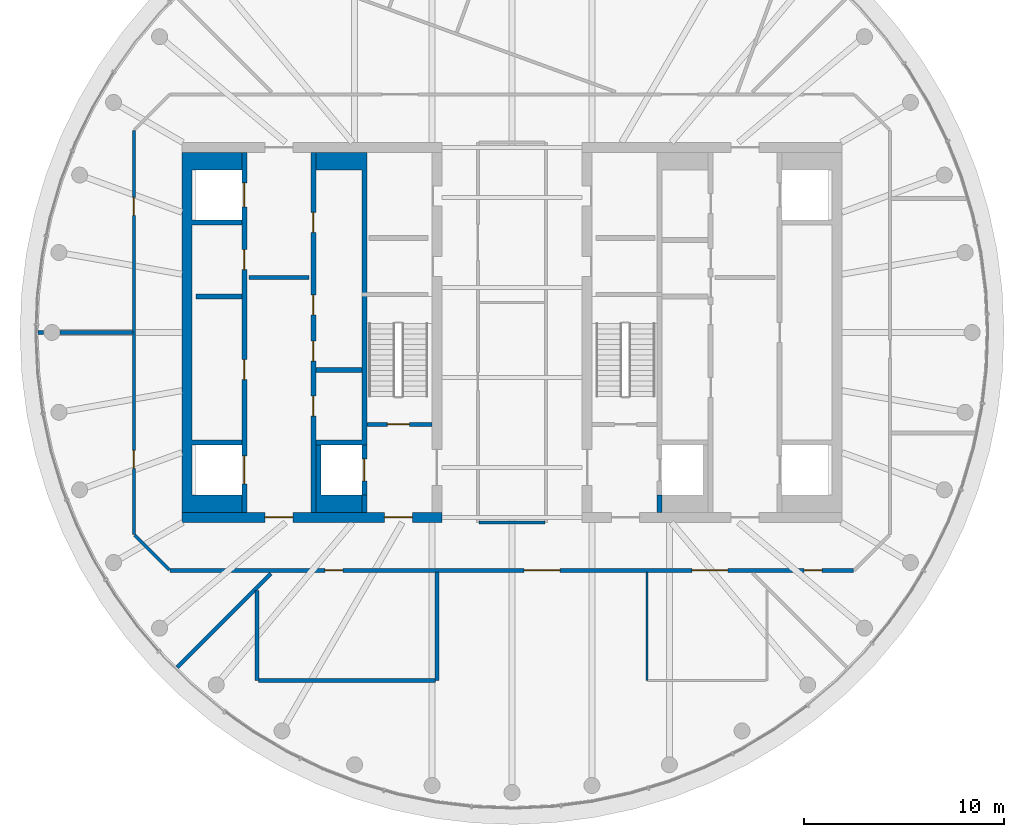
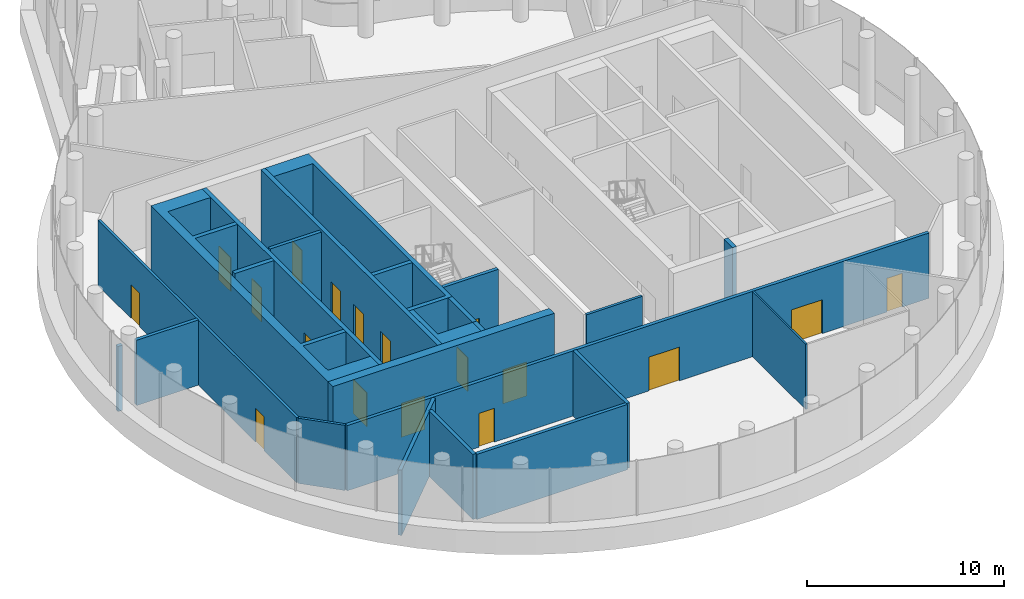
# One storey, part 8 of 12: 24 walls, 18 doors, 18 openings.
"""IFC4 building model written with IfcOpenShell, lengths in metres."""

from ifc_helpers import new_model, si_unit, direction, frame, frame_2d, origin, place, context, subcontext, project, spatial, polyline, rectangle, outline, extrude, material, layer, layer_set, type_object, element, fill, save


model = new_model("IFC4")

# Units and contexts
model_context = context("Model", 3, precision=1e-05, world=origin(), true_north=direction((0.0, 1.0)))
body_context = subcontext(model_context, "Body", "Model", "MODEL_VIEW")
ifc_project = project(units=[si_unit("LENGTHUNIT", "METRE"), si_unit("AREAUNIT", "SQUARE_METRE"), si_unit("VOLUMEUNIT", "CUBIC_METRE"), si_unit("PLANEANGLEUNIT", "RADIAN"), si_unit("MASSUNIT", "GRAM", prefix="KILO")], contexts=[model_context])

# Site, building, storey
site_placement = place(None, origin())
site = spatial("IfcSite", under=ifc_project, at=site_placement, CompositionType="ELEMENT")
building_placement = place(site_placement, origin())
building = spatial("IfcBuilding", under=site, at=building_placement, Name="Tamarind Cross Interchange Tower", CompositionType="ELEMENT")
storey_placement = place(building_placement, frame((0.0, 0.0, 294.39990234375)))
storey = spatial("IfcBuildingStorey", under=building, at=storey_placement, Name="L73", CompositionType="ELEMENT", Elevation=294.39990234375)

# Wall, openings, doors
ifc_material_1 = material(Name="Concrete C50", Category="concrete")
ifc_layer_1 = layer(ifc_material_1, 0.5)
ifc_layer_set_1 = layer_set([ifc_layer_1], Name="Concrete C50")
wall_type_1 = type_object("IfcWallType", Name="Core wall 500 mm Concrete C50", PredefinedType="SHEAR", material=ifc_layer_set_1)
wall_1_placement = place(storey_placement, frame((-16.5, -9.25, 0.0), z_axis=(0.0, 0.0, 1.0), x_axis=(1.0, 0.0, 0.0)))
wall_1 = element("IfcWall", 1, at=wall_1_placement, inside=storey, type_object=wall_type_1, Name="Core wall CWL-L73-W-S", PredefinedType="SHEAR", context=body_context, shape_type="SweptSolid", body=[
    extrude(rectangle(XDim=13.0, YDim=0.5, at=frame_2d((6.5, 0.0))), origin(), (0.0, 0.0, 1.0), 4.75),
])
opening_1_placement = place(wall_1_placement, frame((4.14990234375, 0.0, 0.0)))
opening_1 = element("IfcOpeningElement", 2, at=opening_1_placement, cuts=wall_1, Name="Opening DCW1", PredefinedType="OPENING", context=body_context, shape_type="SweptSolid", body=[
    extrude(rectangle(XDim=1.39990234375, YDim=2.10009765625, at=frame_2d((0.699951171875, 1.050048828125))), frame((0.0, 0.260009765625, 0.0), z_axis=(0.0, -1.0, 0.0), x_axis=(1.0, 0.0, 0.0)), (0.0, 0.0, 1.0), 0.52001953125),
])
opening_2_placement = place(wall_1_placement, frame((10.125, 0.0, 0.0)))
opening_2 = element("IfcOpeningElement", 3, at=opening_2_placement, cuts=wall_1, Name="Opening DCWF", PredefinedType="OPENING", context=body_context, shape_type="SweptSolid", body=[
    extrude(rectangle(XDim=1.39990234375, YDim=2.10009765625, at=frame_2d((0.699951171875, 1.050048828125))), frame((0.0, 0.260009765625, 0.0), z_axis=(0.0, -1.0, 0.0), x_axis=(1.0, 0.0, 0.0)), (0.0, 0.0, 1.0), 0.52001953125),
])
ifc_material_2 = material(Name="Steel, fire-resisting", Category="steel")
door_type_1 = type_object("IfcDoorType", Name="Core fire door 1400 x 2100 FD90", OperationType="SINGLE_SWING_LEFT", PredefinedType="DOOR", material=ifc_material_2)
door_1_placement = place(opening_1_placement, origin())
door_1 = element("IfcDoor", 4, at=door_1_placement, inside=storey, type_object=door_type_1, Name="L73 lift lobby door", OperationType="SINGLE_SWING_LEFT", OverallHeight=2.10009765625, OverallWidth=1.39990234375, PredefinedType="DOOR", context=body_context, shape_type="SweptSolid", body=[
    extrude(rectangle(XDim=1.39990234375, YDim=2.10009765625, at=frame_2d((0.699951171875, 1.050048828125))), frame((0.0, 0.02490234375, 0.0), z_axis=(0.0, -1.0, 0.0), x_axis=(1.0, 0.0, 0.0)), (0.0, 0.0, 1.0), 0.050048828125),
])
fill(opening_1, door_1)
door_2_placement = place(opening_2_placement, origin())
door_2 = element("IfcDoor", 5, at=door_2_placement, inside=storey, type_object=door_type_1, Name="L73 firefighting lobby end door", OperationType="SINGLE_SWING_LEFT", OverallHeight=2.10009765625, OverallWidth=1.39990234375, PredefinedType="DOOR", context=body_context, shape_type="SweptSolid", body=[
    extrude(rectangle(XDim=1.39990234375, YDim=2.10009765625, at=frame_2d((0.699951171875, 1.050048828125))), frame((0.0, 0.02490234375, 0.0), z_axis=(0.0, -1.0, 0.0), x_axis=(1.0, 0.0, 0.0)), (0.0, 0.0, 1.0), 0.050048828125),
])
fill(opening_2, door_2)

# Walls
wall_2_placement = place(storey_placement, origin())
element("IfcWall", 6, at=wall_2_placement, inside=storey, type_object=wall_type_1, Name="Core wall CWL-L73-W-A", PredefinedType="SHEAR", context=body_context, shape_type="SweptSolid", body=[
    extrude(outline(polyline([(-13.5, -8.125), (-16.0, -8.125), (-16.0, -5.625), (-13.5, -5.625), (-13.5, -5.375), (-16.0, -5.375), (-16.0, 5.375), (-13.5, 5.375), (-13.5, 5.625), (-16.0, 5.625), (-16.0, 8.125), (-13.5, 8.125), (-13.5, 9.0), (-16.0, 9.0), (-16.5, 9.0), (-16.5, -9.0), (-16.0, -9.0), (-13.5, -9.0), (-13.5, -8.125)])), origin(), (0.0, 0.0, 1.0), 4.75),
])
ifc_layer_2 = layer(ifc_material_1, 0.25)
ifc_layer_set_2 = layer_set([ifc_layer_2], Name="Concrete C50")
wall_type_2 = type_object("IfcWallType", Name="Core web wall 250 mm Concrete C50", PredefinedType="SHEAR", material=ifc_layer_set_2)
wall_3_placement = place(storey_placement, origin())
element("IfcWall", 7, at=wall_3_placement, inside=storey, type_object=wall_type_2, Name="Core wall CWL-L73-W-BN", PredefinedType="SHEAR", context=body_context, shape_type="SweptSolid", body=[
    extrude(outline(polyline([(-9.800048828125, -5.625), (-7.5, -5.625), (-7.25, -5.625), (-7.25, 9.0), (-7.5, 9.0), (-9.800048828125, 9.0), (-9.800048828125, 8.125), (-7.5, 8.125), (-7.5, -5.375), (-9.800048828125, -5.375), (-9.800048828125, -5.625)])), origin(), (0.0, 0.0, 1.0), 4.75),
])
wall_4_placement = place(storey_placement, origin())
element("IfcWall", 8, at=wall_4_placement, inside=storey, type_object=wall_type_2, Name="Core wall CWL-L73-W-BS", PredefinedType="SHEAR", context=body_context, shape_type="SweptSolid", body=[
    extrude(outline(polyline([(-7.5, -8.125), (-9.550048828125, -8.125), (-9.550048828125, -5.625), (-9.800048828125, -5.625), (-9.800048828125, -8.125), (-9.800048828125, -9.0), (-7.5, -9.0), (-7.5, -8.125)])), origin(), (0.0, 0.0, 1.0), 4.75),
])
wall_5_placement = place(storey_placement, frame((-7.375, -9.0, 0.0), z_axis=(0.0, 0.0, 1.0), x_axis=(0.0, 1.0, 0.0)))
element("IfcWall", 9, at=wall_5_placement, inside=storey, type_object=wall_type_2, Name="Core wall CWL-L73-W-BW", PredefinedType="SHEAR", context=body_context, shape_type="SweptSolid", body=[
    extrude(rectangle(XDim=0.875, YDim=0.25, at=frame_2d((0.4375, 0.0))), origin(), (0.0, 0.0, 1.0), 4.75),
])

# Wall, openings, doors
wall_6_placement = place(storey_placement, frame((-13.375, -9.0, 0.0), z_axis=(0.0, 0.0, 1.0), x_axis=(0.0, 1.0, 0.0)))
wall_6 = element("IfcWall", 10, at=wall_6_placement, inside=storey, type_object=wall_type_2, Name="Core wall CWL-L73-W-LA", PredefinedType="SHEAR", context=body_context, shape_type="SweptSolid", body=[
    extrude(rectangle(XDim=18.0, YDim=0.25, at=frame_2d((9.0, 0.0))), origin(), (0.0, 0.0, 1.0), 4.75),
])
opening_3_placement = place(wall_6_placement, frame((1.425048828125, 0.0, 0.0)))
opening_3 = element("IfcOpeningElement", 11, at=opening_3_placement, cuts=wall_6, Name="Opening LD1L73", PredefinedType="OPENING", context=body_context, shape_type="SweptSolid", body=[
    extrude(rectangle(XDim=1.39990234375, YDim=2.10009765625, at=frame_2d((0.699951171875, 1.050048828125))), frame((0.0, 0.135009765625, 0.0), z_axis=(0.0, -1.0, 0.0), x_axis=(1.0, 0.0, 0.0)), (0.0, 0.0, 1.0), 0.27001953125),
])
opening_4_placement = place(wall_6_placement, frame((15.27490234375, 0.0, 0.0)))
opening_4 = element("IfcOpeningElement", 12, at=opening_4_placement, cuts=wall_6, Name="Opening LD6L73", PredefinedType="OPENING", context=body_context, shape_type="SweptSolid", body=[
    extrude(rectangle(XDim=1.199951171875, YDim=2.10009765625, at=frame_2d((0.60009765625, 1.050048828125))), frame((0.0, 0.135009765625, 0.0), z_axis=(0.0, -1.0, 0.0), x_axis=(1.0, 0.0, 0.0)), (0.0, 0.0, 1.0), 0.27001953125),
])
opening_5_placement = place(wall_6_placement, frame((6.64599609375, 0.0, 0.0)))
opening_5 = element("IfcOpeningElement", 13, at=opening_5_placement, cuts=wall_6, Name="Opening DCW9", PredefinedType="OPENING", context=body_context, shape_type="SweptSolid", body=[
    extrude(rectangle(XDim=1.0, YDim=2.10009765625, at=frame_2d((0.5, 1.050048828125))), frame((0.0, 0.135009765625, 0.0), z_axis=(0.0, -1.0, 0.0), x_axis=(1.0, 0.0, 0.0)), (0.0, 0.0, 1.0), 0.27001953125),
])
opening_6_placement = place(wall_6_placement, frame((12.14599609375, 0.0, 0.0)))
opening_6 = element("IfcOpeningElement", 14, at=opening_6_placement, cuts=wall_6, Name="Opening DCW10", PredefinedType="OPENING", context=body_context, shape_type="SweptSolid", body=[
    extrude(rectangle(XDim=1.0, YDim=2.10009765625, at=frame_2d((0.5, 1.050048828125))), frame((0.0, 0.135009765625, 0.0), z_axis=(0.0, -1.0, 0.0), x_axis=(1.0, 0.0, 0.0)), (0.0, 0.0, 1.0), 0.27001953125),
])
door_type_2 = type_object("IfcDoorType", Name="Core fire door 1000 x 2100 FD90", OperationType="SINGLE_SWING_LEFT", PredefinedType="DOOR", material=ifc_material_2)
door_3_placement = place(opening_5_placement, origin())
door_3 = element("IfcDoor", 15, at=door_3_placement, inside=storey, type_object=door_type_2, Name="L73 Cleaner's store door", OperationType="SINGLE_SWING_LEFT", OverallHeight=2.10009765625, OverallWidth=1.0, PredefinedType="DOOR", context=body_context, shape_type="SweptSolid", body=[
    extrude(rectangle(XDim=1.0, YDim=2.10009765625, at=frame_2d((0.5, 1.050048828125))), frame((0.0, 0.02490234375, 0.0), z_axis=(0.0, -1.0, 0.0), x_axis=(1.0, 0.0, 0.0)), (0.0, 0.0, 1.0), 0.050048828125),
])
fill(opening_5, door_3)
door_4_placement = place(opening_6_placement, origin())
door_4 = element("IfcDoor", 16, at=door_4_placement, inside=storey, type_object=door_type_2, Name="L73 Guide's room door", OperationType="SINGLE_SWING_LEFT", OverallHeight=2.10009765625, OverallWidth=1.0, PredefinedType="DOOR", context=body_context, shape_type="SweptSolid", body=[
    extrude(rectangle(XDim=1.0, YDim=2.10009765625, at=frame_2d((0.5, 1.050048828125))), frame((0.0, 0.02490234375, 0.0), z_axis=(0.0, -1.0, 0.0), x_axis=(1.0, 0.0, 0.0)), (0.0, 0.0, 1.0), 0.050048828125),
])
fill(opening_6, door_4)
ifc_material_3 = material(Name="Stainless steel panel", Category="steel")
door_type_3 = type_object("IfcDoorType", Name="Lift landing door 1200 x 2100 E 120", OperationType="SLIDING_TO_LEFT", PredefinedType="DOOR", material=ifc_material_3)
door_5_placement = place(opening_4_placement, origin())
door_5 = element("IfcDoor", 17, at=door_5_placement, inside=storey, type_object=door_type_3, Name="L73 landing door LF6", OperationType="SLIDING_TO_LEFT", OverallHeight=2.10009765625, OverallWidth=1.199951171875, PredefinedType="DOOR", context=body_context, shape_type="SweptSolid", body=[
    extrude(rectangle(XDim=1.199951171875, YDim=2.10009765625, at=frame_2d((0.60009765625, 1.050048828125))), frame((0.0, 0.02490234375, 0.0), z_axis=(0.0, -1.0, 0.0), x_axis=(1.0, 0.0, 0.0)), (0.0, 0.0, 1.0), 0.050048828125),
])
fill(opening_4, door_5)
door_type_4 = type_object("IfcDoorType", Name="Lift landing door 1400 x 2100 E 120", OperationType="SLIDING_TO_LEFT", PredefinedType="DOOR", material=ifc_material_3)
door_6_placement = place(opening_3_placement, origin())
door_6 = element("IfcDoor", 18, at=door_6_placement, inside=storey, type_object=door_type_4, Name="L73 landing door LF1", OperationType="SLIDING_TO_LEFT", OverallHeight=2.10009765625, OverallWidth=1.39990234375, PredefinedType="DOOR", context=body_context, shape_type="SweptSolid", body=[
    extrude(rectangle(XDim=1.39990234375, YDim=2.10009765625, at=frame_2d((0.699951171875, 1.050048828125))), frame((0.0, 0.02490234375, 0.0), z_axis=(0.0, -1.0, 0.0), x_axis=(1.0, 0.0, 0.0)), (0.0, 0.0, 1.0), 0.050048828125),
])
fill(opening_3, door_6)

wall_7_placement = place(storey_placement, frame((-9.925048828125, -9.0, 0.0), z_axis=(0.0, 0.0, 1.0), x_axis=(0.0, 1.0, 0.0)))
wall_7 = element("IfcWall", 19, at=wall_7_placement, inside=storey, type_object=wall_type_2, Name="Core wall CWL-L73-W-LB", PredefinedType="SHEAR", context=body_context, shape_type="SweptSolid", body=[
    extrude(rectangle(XDim=18.0, YDim=0.25, at=frame_2d((9.0, 0.0))), origin(), (0.0, 0.0, 1.0), 4.75),
])
opening_7_placement = place(wall_7_placement, frame((4.8125, 0.0, 0.0)))
opening_7 = element("IfcOpeningElement", 20, at=opening_7_placement, cuts=wall_7, Name="Opening DCW21", PredefinedType="OPENING", context=body_context, shape_type="SweptSolid", body=[
    extrude(rectangle(XDim=1.0, YDim=2.10009765625, at=frame_2d((0.5, 1.050048828125))), frame((0.0, 0.135009765625, 0.0), z_axis=(0.0, -1.0, 0.0), x_axis=(1.0, 0.0, 0.0)), (0.0, 0.0, 1.0), 0.27001953125),
])
opening_8_placement = place(wall_7_placement, frame((7.5625, 0.0, 0.0)))
opening_8 = element("IfcOpeningElement", 21, at=opening_8_placement, cuts=wall_7, Name="Opening DCW22", PredefinedType="OPENING", context=body_context, shape_type="SweptSolid", body=[
    extrude(rectangle(XDim=1.0, YDim=2.10009765625, at=frame_2d((0.5, 1.050048828125))), frame((0.0, 0.135009765625, 0.0), z_axis=(0.0, -1.0, 0.0), x_axis=(1.0, 0.0, 0.0)), (0.0, 0.0, 1.0), 0.27001953125),
])
opening_9_placement = place(wall_7_placement, frame((9.875, 0.0, 0.0)))
opening_9 = element("IfcOpeningElement", 22, at=opening_9_placement, cuts=wall_7, Name="Opening DCW21", PredefinedType="OPENING", context=body_context, shape_type="SweptSolid", body=[
    extrude(rectangle(XDim=1.0, YDim=2.10009765625, at=frame_2d((0.5, 1.050048828125))), frame((0.0, 0.135009765625, 0.0), z_axis=(0.0, -1.0, 0.0), x_axis=(1.0, 0.0, 0.0)), (0.0, 0.0, 1.0), 0.27001953125),
])
opening_10_placement = place(wall_7_placement, frame((14.0, 0.0, 0.0)))
opening_10 = element("IfcOpeningElement", 23, at=opening_10_placement, cuts=wall_7, Name="Opening DCW21", PredefinedType="OPENING", context=body_context, shape_type="SweptSolid", body=[
    extrude(rectangle(XDim=1.0, YDim=2.10009765625, at=frame_2d((0.5, 1.050048828125))), frame((0.0, 0.135009765625, 0.0), z_axis=(0.0, -1.0, 0.0), x_axis=(1.0, 0.0, 0.0)), (0.0, 0.0, 1.0), 0.27001953125),
])
door_7_placement = place(opening_7_placement, origin())
door_7 = element("IfcDoor", 24, at=door_7_placement, inside=storey, type_object=door_type_2, Name="L73 Catering store door", OperationType="SINGLE_SWING_LEFT", OverallHeight=2.10009765625, OverallWidth=1.0, PredefinedType="DOOR", context=body_context, shape_type="SweptSolid", body=[
    extrude(rectangle(XDim=1.0, YDim=2.10009765625, at=frame_2d((0.5, 1.050048828125))), frame((0.0, 0.02490234375, 0.0), z_axis=(0.0, -1.0, 0.0), x_axis=(1.0, 0.0, 0.0)), (0.0, 0.0, 1.0), 0.050048828125),
])
fill(opening_7, door_7)
door_8_placement = place(opening_8_placement, origin())
door_8 = element("IfcDoor", 25, at=door_8_placement, inside=storey, type_object=door_type_2, Name="L73 Cleaner's store door", OperationType="SINGLE_SWING_LEFT", OverallHeight=2.10009765625, OverallWidth=1.0, PredefinedType="DOOR", context=body_context, shape_type="SweptSolid", body=[
    extrude(rectangle(XDim=1.0, YDim=2.10009765625, at=frame_2d((0.5, 1.050048828125))), frame((0.0, 0.02490234375, 0.0), z_axis=(0.0, -1.0, 0.0), x_axis=(1.0, 0.0, 0.0)), (0.0, 0.0, 1.0), 0.050048828125),
])
fill(opening_8, door_8)
door_9_placement = place(opening_9_placement, origin())
door_9 = element("IfcDoor", 26, at=door_9_placement, inside=storey, type_object=door_type_2, Name="L73 Guide's room door", OperationType="SINGLE_SWING_LEFT", OverallHeight=2.10009765625, OverallWidth=1.0, PredefinedType="DOOR", context=body_context, shape_type="SweptSolid", body=[
    extrude(rectangle(XDim=1.0, YDim=2.10009765625, at=frame_2d((0.5, 1.050048828125))), frame((0.0, 0.02490234375, 0.0), z_axis=(0.0, -1.0, 0.0), x_axis=(1.0, 0.0, 0.0)), (0.0, 0.0, 1.0), 0.050048828125),
])
fill(opening_9, door_9)
door_10_placement = place(opening_10_placement, origin())
door_10 = element("IfcDoor", 27, at=door_10_placement, inside=storey, type_object=door_type_2, Name="L73 First aid room door", OperationType="SINGLE_SWING_LEFT", OverallHeight=2.10009765625, OverallWidth=1.0, PredefinedType="DOOR", context=body_context, shape_type="SweptSolid", body=[
    extrude(rectangle(XDim=1.0, YDim=2.10009765625, at=frame_2d((0.5, 1.050048828125))), frame((0.0, 0.02490234375, 0.0), z_axis=(0.0, -1.0, 0.0), x_axis=(1.0, 0.0, 0.0)), (0.0, 0.0, 1.0), 0.050048828125),
])
fill(opening_10, door_10)

# Wall, opening, door
wall_8_placement = place(storey_placement, frame((-7.375, -8.125, 0.0), z_axis=(0.0, 0.0, 1.0), x_axis=(0.0, 1.0, 0.0)))
wall_8 = element("IfcWall", 28, at=wall_8_placement, inside=storey, type_object=wall_type_2, Name="Core wall CWL-L73-W-FF", PredefinedType="SHEAR", context=body_context, shape_type="SweptSolid", body=[
    extrude(rectangle(XDim=2.5, YDim=0.25, at=frame_2d((1.25, 0.0))), origin(), (0.0, 0.0, 1.0), 4.75),
])
opening_11_placement = place(wall_8_placement, frame((0.699951171875, 0.0, 0.0)))
opening_11 = element("IfcOpeningElement", 29, at=opening_11_placement, cuts=wall_8, Name="Opening LD7L73", PredefinedType="OPENING", context=body_context, shape_type="SweptSolid", body=[
    extrude(rectangle(XDim=1.10009765625, YDim=2.10009765625, at=frame_2d((0.550048828125, 1.050048828125))), frame((0.0, 0.135009765625, 0.0), z_axis=(0.0, -1.0, 0.0), x_axis=(1.0, 0.0, 0.0)), (0.0, 0.0, 1.0), 0.27001953125),
])
door_type_5 = type_object("IfcDoorType", Name="Lift landing door 1100 x 2100 E 120", OperationType="SLIDING_TO_LEFT", PredefinedType="DOOR", material=ifc_material_3)
door_11_placement = place(opening_11_placement, origin())
door_11 = element("IfcDoor", 30, at=door_11_placement, inside=storey, type_object=door_type_5, Name="L73 landing door LF7", OperationType="SLIDING_TO_LEFT", OverallHeight=2.10009765625, OverallWidth=1.10009765625, PredefinedType="DOOR", context=body_context, shape_type="SweptSolid", body=[
    extrude(rectangle(XDim=1.10009765625, YDim=2.10009765625, at=frame_2d((0.550048828125, 1.050048828125))), frame((0.0, 0.02490234375, 0.0), z_axis=(0.0, -1.0, 0.0), x_axis=(1.0, 0.0, 0.0)), (0.0, 0.0, 1.0), 0.050048828125),
])
fill(opening_11, door_11)

# Walls
wall_9_placement = place(storey_placement, frame((7.375, -9.0, 0.0), z_axis=(0.0, 0.0, 1.0), x_axis=(0.0, 1.0, 0.0)))
element("IfcWall", 31, at=wall_9_placement, inside=storey, type_object=wall_type_2, Name="Core wall CWL-L73-E-BW", PredefinedType="SHEAR", context=body_context, shape_type="SweptSolid", body=[
    extrude(rectangle(XDim=0.875, YDim=0.25, at=frame_2d((0.4375, 0.0))), origin(), (0.0, 0.0, 1.0), 4.75),
])
ifc_material_4 = material(Name="Gypsum board partition on steel studs", Category="steel")
ifc_layer_3 = layer(ifc_material_4, 0.10009765625)
ifc_layer_set_3 = layer_set([ifc_layer_3], Name="Gypsum board partition on steel studs")
wall_type_3 = type_object("IfcWallType", Name="Partition 100 mm EI 90", PredefinedType="PARTITIONING", material=ifc_layer_set_3)
wall_10_placement = place(storey_placement, frame((6.740966796875, -17.39990234375, 0.0), z_axis=(0.0, 0.0, 1.0), x_axis=(0.0, 1.0, 0.0)))
element("IfcWall", 32, at=wall_10_placement, inside=storey, type_object=wall_type_3, Name="Partition L73-042", PredefinedType="PARTITIONING", context=body_context, shape_type="SweptSolid", body=[
    extrude(rectangle(XDim=5.419921875, YDim=0.10009765625, at=frame_2d((2.7099609375, 0.0))), origin(), (0.0, 0.0, 1.0), 4.050048828125),
])
ifc_layer_4 = layer(ifc_material_4, 0.14990234375)
ifc_layer_set_4 = layer_set([ifc_layer_4], Name="Gypsum board partition on steel studs")
wall_type_4 = type_object("IfcWallType", Name="Partition 150 mm EI 120", PredefinedType="PARTITIONING", material=ifc_layer_set_4)
wall_11_placement = place(storey_placement, frame((-18.87158203125, -10.12841796875, 0.0), z_axis=(0.0, 0.0, 1.0), x_axis=(0.707106781187, -0.707106781187, 0.0)))
element("IfcWall", 33, at=wall_11_placement, inside=storey, type_object=wall_type_4, Name="Partition L73-001", PredefinedType="PARTITIONING", context=body_context, shape_type="SweptSolid", body=[
    extrude(rectangle(XDim=2.455078125, YDim=0.14990234375, at=frame_2d((1.2275390625, 0.0))), origin(), (0.0, 0.0, 1.0), 4.050048828125),
])
wall_12_placement = place(storey_placement, frame((-1.639892578125, -9.5, 0.0), z_axis=(0.0, 0.0, 1.0), x_axis=(1.0, 0.0, 0.0)))
element("IfcWall", 34, at=wall_12_placement, inside=storey, type_object=wall_type_4, Name="Partition L73-018", PredefinedType="PARTITIONING", context=body_context, shape_type="SweptSolid", body=[
    extrude(rectangle(XDim=3.27978515625, YDim=0.14990234375, at=frame_2d((1.639892578125, 0.0))), origin(), (0.0, 0.0, 1.0), 4.050048828125),
])

# Wall, openings, doors
wall_13_placement = place(storey_placement, frame((-18.89990234375, -10.10009765625, 0.0), z_axis=(0.0, 0.0, 1.0), x_axis=(0.0, 1.0, 0.0)))
wall_13 = element("IfcWall", 35, at=wall_13_placement, inside=storey, type_object=wall_type_4, Name="Partition L73-037", PredefinedType="PARTITIONING", context=body_context, shape_type="SweptSolid", body=[
    extrude(rectangle(XDim=20.2001953125, YDim=0.14990234375, at=frame_2d((10.10009765625, 0.0))), origin(), (0.0, 0.0, 1.0), 4.050048828125),
])
opening_12_placement = place(wall_13_placement, frame((3.300048828125, 0.0, 0.0)))
opening_12 = element("IfcOpeningElement", 36, at=opening_12_placement, cuts=wall_13, Name="Opening D16", PredefinedType="OPENING", context=body_context, shape_type="SweptSolid", body=[
    extrude(rectangle(XDim=0.89990234375, YDim=2.10009765625, at=frame_2d((0.449951171875, 1.050048828125))), frame((0.0, 0.0849609375, 0.0), z_axis=(0.0, -1.0, 0.0), x_axis=(1.0, 0.0, 0.0)), (0.0, 0.0, 1.0), 0.169921875),
])
opening_13_placement = place(wall_13_placement, frame((15.949951171875, 0.0, 0.0)))
opening_13 = element("IfcOpeningElement", 37, at=opening_13_placement, cuts=wall_13, Name="Opening D17", PredefinedType="OPENING", context=body_context, shape_type="SweptSolid", body=[
    extrude(rectangle(XDim=0.89990234375, YDim=2.10009765625, at=frame_2d((0.449951171875, 1.050048828125))), frame((0.0, 0.0849609375, 0.0), z_axis=(0.0, -1.0, 0.0), x_axis=(1.0, 0.0, 0.0)), (0.0, 0.0, 1.0), 0.169921875),
])
ifc_material_5 = material(Name="Fire-resisting door set")
door_type_6 = type_object("IfcDoorType", Name="Interior door 900 x 2100 FD60S", OperationType="SINGLE_SWING_LEFT", PredefinedType="DOOR", material=ifc_material_5)
door_12_placement = place(opening_12_placement, origin())
door_12 = element("IfcDoor", 38, at=door_12_placement, inside=storey, type_object=door_type_6, Name="Door D16", OperationType="SINGLE_SWING_RIGHT", OverallHeight=2.10009765625, OverallWidth=0.89990234375, PredefinedType="DOOR", context=body_context, shape_type="SweptSolid", body=[
    extrude(rectangle(XDim=0.89990234375, YDim=2.10009765625, at=frame_2d((0.449951171875, 1.050048828125))), frame((0.0, 0.02490234375, 0.0), z_axis=(0.0, -1.0, 0.0), x_axis=(1.0, 0.0, 0.0)), (0.0, 0.0, 1.0), 0.050048828125),
])
fill(opening_12, door_12)
door_13_placement = place(opening_13_placement, origin())
door_13 = element("IfcDoor", 39, at=door_13_placement, inside=storey, type_object=door_type_6, Name="Door D17", OperationType="SINGLE_SWING_LEFT", OverallHeight=2.10009765625, OverallWidth=0.89990234375, PredefinedType="DOOR", context=body_context, shape_type="SweptSolid", body=[
    extrude(rectangle(XDim=0.89990234375, YDim=2.10009765625, at=frame_2d((0.449951171875, 1.050048828125))), frame((0.0, 0.02490234375, 0.0), z_axis=(0.0, -1.0, 0.0), x_axis=(1.0, 0.0, 0.0)), (0.0, 0.0, 1.0), 0.050048828125),
])
fill(opening_13, door_13)

# Walls
ifc_layer_5 = layer(ifc_material_4, 0.199951171875)
ifc_layer_set_5 = layer_set([ifc_layer_5], Name="Gypsum board partition on steel studs")
wall_type_5 = type_object("IfcWallType", Name="Partition 200 mm EI 180", PredefinedType="PARTITIONING", material=ifc_layer_set_5)
wall_14_placement = place(storey_placement, frame((-23.690673828125, 0.0, 0.0), z_axis=(0.0, 0.0, 1.0), x_axis=(1.0, 0.0, 0.0)))
element("IfcWall", 40, at=wall_14_placement, inside=storey, type_object=wall_type_5, Name="Partition L73-012", PredefinedType="PARTITIONING", context=body_context, shape_type="SweptSolid", body=[
    extrude(rectangle(XDim=0.28076171875, YDim=0.199951171875, at=frame_2d((0.140380859375, 0.0))), origin(), (0.0, 0.0, 1.0), 4.050048828125),
])
wall_15_placement = place(storey_placement, frame((-22.590087890625, 0.0, 0.0), z_axis=(0.0, 0.0, 1.0), x_axis=(1.0, 0.0, 0.0)))
element("IfcWall", 41, at=wall_15_placement, inside=storey, type_object=wall_type_5, Name="Partition L73-013", PredefinedType="PARTITIONING", context=body_context, shape_type="SweptSolid", body=[
    extrude(rectangle(XDim=3.635009765625, YDim=0.199951171875, at=frame_2d((1.8173828125, 0.0))), origin(), (0.0, 0.0, 1.0), 4.050048828125),
])

# Wall, openings, doors
wall_16_placement = place(storey_placement, frame((-17.10009765625, -11.89990234375, 0.0), z_axis=(0.0, 0.0, 1.0), x_axis=(1.0, 0.0, 0.0)))
wall_16 = element("IfcWall", 42, at=wall_16_placement, inside=storey, type_object=wall_type_5, Name="Partition L73-014", PredefinedType="PARTITIONING", context=body_context, shape_type="SweptSolid", body=[
    extrude(rectangle(XDim=34.1650390625, YDim=0.199951171875, at=frame_2d((17.08251953125, 0.0))), origin(), (0.0, 0.0, 1.0), 4.050048828125),
])
opening_14_placement = place(wall_16_placement, frame((7.75, 0.0, 0.0)))
opening_14 = element("IfcOpeningElement", 43, at=opening_14_placement, cuts=wall_16, Name="Opening D04", PredefinedType="OPENING", context=body_context, shape_type="SweptSolid", body=[
    extrude(rectangle(XDim=0.89990234375, YDim=2.10009765625, at=frame_2d((0.449951171875, 1.050048828125))), frame((0.0, 0.10986328125, 0.0), z_axis=(0.0, -1.0, 0.0), x_axis=(1.0, 0.0, 0.0)), (0.0, 0.0, 1.0), 0.219970703125),
])
opening_15_placement = place(wall_16_placement, frame((26.091064453125, 0.0, 0.0)))
opening_15 = element("IfcOpeningElement", 44, at=opening_15_placement, cuts=wall_16, Name="Opening D05", PredefinedType="OPENING", context=body_context, shape_type="SweptSolid", body=[
    extrude(rectangle(XDim=1.800048828125, YDim=2.10009765625, at=frame_2d((0.89990234375, 1.050048828125))), frame((0.0, 0.10986328125, 0.0), z_axis=(0.0, -1.0, 0.0), x_axis=(1.0, 0.0, 0.0)), (0.0, 0.0, 1.0), 0.219970703125),
])
opening_16_placement = place(wall_16_placement, frame((17.708984375, 0.0, 0.0)))
opening_16 = element("IfcOpeningElement", 45, at=opening_16_placement, cuts=wall_16, Name="Opening D06", PredefinedType="OPENING", context=body_context, shape_type="SweptSolid", body=[
    extrude(rectangle(XDim=1.800048828125, YDim=2.10009765625, at=frame_2d((0.89990234375, 1.050048828125))), frame((0.0, 0.10986328125, 0.0), z_axis=(0.0, -1.0, 0.0), x_axis=(1.0, 0.0, 0.0)), (0.0, 0.0, 1.0), 0.219970703125),
])
opening_17_placement = place(wall_16_placement, frame((31.699951171875, 0.0, 0.0)))
opening_17 = element("IfcOpeningElement", 46, at=opening_17_placement, cuts=wall_16, Name="Opening D07", PredefinedType="OPENING", context=body_context, shape_type="SweptSolid", body=[
    extrude(rectangle(XDim=0.89990234375, YDim=2.10009765625, at=frame_2d((0.449951171875, 1.050048828125))), frame((0.0, 0.10986328125, 0.0), z_axis=(0.0, -1.0, 0.0), x_axis=(1.0, 0.0, 0.0)), (0.0, 0.0, 1.0), 0.219970703125),
])
door_type_7 = type_object("IfcDoorType", Name="Interior door 1800 x 2100 FD120S", OperationType="DOUBLE_DOOR_SINGLE_SWING", PredefinedType="DOOR", material=ifc_material_5)
door_14_placement = place(opening_15_placement, frame((1.800048828125, 0.0, 0.0), z_axis=(0.0, 0.0, 1.0), x_axis=(-1.0, 0.0, 0.0)))
door_14 = element("IfcDoor", 47, at=door_14_placement, inside=storey, type_object=door_type_7, Name="Door D05", OperationType="DOUBLE_DOOR_SINGLE_SWING", OverallHeight=2.10009765625, OverallWidth=1.800048828125, PredefinedType="DOOR", context=body_context, shape_type="SweptSolid", body=[
    extrude(rectangle(XDim=1.800048828125, YDim=2.10009765625, at=frame_2d((0.89990234375, 1.050048828125))), frame((0.0, 0.02490234375, 0.0), z_axis=(0.0, -1.0, 0.0), x_axis=(1.0, 0.0, 0.0)), (0.0, 0.0, 1.0), 0.050048828125),
])
fill(opening_15, door_14)
door_15_placement = place(opening_16_placement, origin())
door_15 = element("IfcDoor", 48, at=door_15_placement, inside=storey, type_object=door_type_7, Name="Door D06", OperationType="DOUBLE_DOOR_SINGLE_SWING", OverallHeight=2.10009765625, OverallWidth=1.800048828125, PredefinedType="DOOR", context=body_context, shape_type="SweptSolid", body=[
    extrude(rectangle(XDim=1.800048828125, YDim=2.10009765625, at=frame_2d((0.89990234375, 1.050048828125))), frame((0.0, 0.02490234375, 0.0), z_axis=(0.0, -1.0, 0.0), x_axis=(1.0, 0.0, 0.0)), (0.0, 0.0, 1.0), 0.050048828125),
])
fill(opening_16, door_15)
door_type_8 = type_object("IfcDoorType", Name="Interior door 900 x 2100 FD120S", OperationType="SINGLE_SWING_LEFT", PredefinedType="DOOR", material=ifc_material_5)
door_16_placement = place(opening_14_placement, frame((0.89990234375, 0.0, 0.0), z_axis=(0.0, 0.0, 1.0), x_axis=(-1.0, 0.0, 0.0)))
door_16 = element("IfcDoor", 49, at=door_16_placement, inside=storey, type_object=door_type_8, Name="Door D04", OperationType="SINGLE_SWING_LEFT", OverallHeight=2.10009765625, OverallWidth=0.89990234375, PredefinedType="DOOR", context=body_context, shape_type="SweptSolid", body=[
    extrude(rectangle(XDim=0.89990234375, YDim=2.10009765625, at=frame_2d((0.449951171875, 1.050048828125))), frame((0.0, 0.02490234375, 0.0), z_axis=(0.0, -1.0, 0.0), x_axis=(1.0, 0.0, 0.0)), (0.0, 0.0, 1.0), 0.050048828125),
])
fill(opening_14, door_16)
door_17_placement = place(opening_17_placement, frame((0.89990234375, 0.0, 0.0), z_axis=(0.0, 0.0, 1.0), x_axis=(-1.0, 0.0, 0.0)))
door_17 = element("IfcDoor", 50, at=door_17_placement, inside=storey, type_object=door_type_8, Name="Door D07", OperationType="SINGLE_SWING_RIGHT", OverallHeight=2.10009765625, OverallWidth=0.89990234375, PredefinedType="DOOR", context=body_context, shape_type="SweptSolid", body=[
    extrude(rectangle(XDim=0.89990234375, YDim=2.10009765625, at=frame_2d((0.449951171875, 1.050048828125))), frame((0.0, 0.02490234375, 0.0), z_axis=(0.0, -1.0, 0.0), x_axis=(1.0, 0.0, 0.0)), (0.0, 0.0, 1.0), 0.050048828125),
])
fill(opening_17, door_17)

# Walls
wall_17_placement = place(storey_placement, frame((-12.660888671875, -17.39990234375, 0.0), z_axis=(0.0, 0.0, 1.0), x_axis=(1.0, 0.0, 0.0)))
element("IfcWall", 51, at=wall_17_placement, inside=storey, type_object=wall_type_5, Name="Partition L73-016", PredefinedType="PARTITIONING", context=body_context, shape_type="SweptSolid", body=[
    extrude(rectangle(XDim=8.8349609375, YDim=0.199951171875, at=frame_2d((4.41748046875, 0.0))), origin(), (0.0, 0.0, 1.0), 4.050048828125),
])
wall_18_placement = place(storey_placement, frame((-16.740478515625, -16.740478515625, 0.0), z_axis=(0.0, 0.0, 1.0), x_axis=(0.707106781187, 0.707106781187, 0.0)))
element("IfcWall", 52, at=wall_18_placement, inside=storey, type_object=wall_type_5, Name="Partition L73-024", PredefinedType="PARTITIONING", context=body_context, shape_type="SweptSolid", body=[
    extrude(rectangle(XDim=6.630615234375, YDim=0.199951171875, at=frame_2d((3.3154296875, 0.0))), origin(), (0.0, 0.0, 1.0), 4.050048828125),
])
wall_19_placement = place(storey_placement, frame((-12.740966796875, -17.39990234375, 0.0), z_axis=(0.0, 0.0, 1.0), x_axis=(0.0, 1.0, 0.0)))
element("IfcWall", 53, at=wall_19_placement, inside=storey, type_object=wall_type_5, Name="Partition L73-038", PredefinedType="PARTITIONING", context=body_context, shape_type="SweptSolid", body=[
    extrude(rectangle(XDim=4.4990234375, YDim=0.199951171875, at=frame_2d((2.24951171875, 0.0))), origin(), (0.0, 0.0, 1.0), 4.050048828125),
])
wall_20_placement = place(storey_placement, frame((-3.740966796875, -17.39990234375, 0.0), z_axis=(0.0, 0.0, 1.0), x_axis=(0.0, 1.0, 0.0)))
element("IfcWall", 54, at=wall_20_placement, inside=storey, type_object=wall_type_5, Name="Partition L73-039", PredefinedType="PARTITIONING", context=body_context, shape_type="SweptSolid", body=[
    extrude(rectangle(XDim=5.419921875, YDim=0.199951171875, at=frame_2d((2.7099609375, 0.0))), origin(), (0.0, 0.0, 1.0), 4.050048828125),
])
ifc_material_6 = material(Name="Concrete C40", Category="concrete")
ifc_layer_6 = layer(ifc_material_6, 0.199951171875)
ifc_layer_set_6 = layer_set([ifc_layer_6], Name="Concrete C40")
wall_type_6 = type_object("IfcWallType", Name="Shaft and lobby wall 200 mm Concrete C40", PredefinedType="PARTITIONING", material=ifc_layer_set_6)
wall_21_placement = place(storey_placement, frame((-13.14990234375, 2.75, 0.0), z_axis=(0.0, 0.0, 1.0), x_axis=(1.0, 0.0, 0.0)))
element("IfcWall", 55, at=wall_21_placement, inside=storey, type_object=wall_type_6, Name="Shaft wall CWL-L73-W-OBS", PredefinedType="PARTITIONING", context=body_context, shape_type="SweptSolid", body=[
    extrude(rectangle(XDim=3.0, YDim=0.199951171875, at=frame_2d((1.5, 0.0))), origin(), (0.0, 0.0, 1.0), 4.75),
])
ifc_layer_7 = layer(ifc_material_6, 0.25)
ifc_layer_set_7 = layer_set([ifc_layer_7], Name="Concrete C40")
wall_type_7 = type_object("IfcWallType", Name="Shaft and lobby wall 250 mm Concrete C40", PredefinedType="PARTITIONING", material=ifc_layer_set_7)
for number, where, z_axis, x_axis, name in (
    (56, (-15.800048828125, 1.7919921875, 0.0), (0.0, 0.0, 1.0), (1.0, 0.0, 0.0), "Shaft wall CWL-L73-W-FPA1"),
    (57, (-9.800048828125, -1.875, 0.0), (0.0, 0.0, 1.0), (1.0, 0.0, 0.0), "Shaft wall CWL-L73-W-FPB1"),
):
    element("IfcWall", number, at=place(storey_placement, frame(where, z_axis=z_axis, x_axis=x_axis)), inside=storey, type_object=wall_type_7, Name=name, PredefinedType="PARTITIONING", context=body_context, shape_type="SweptSolid", body=[
        extrude(rectangle(XDim=2.300048828125, YDim=0.25, at=frame_2d((1.14990234375, 0.0))), origin(), (0.0, 0.0, 1.0), 4.75),
    ])

# Wall, opening, door
ifc_layer_8 = layer(ifc_material_6, 0.199951171875)
ifc_layer_set_8 = layer_set([ifc_layer_8], Name="Concrete C40")
wall_type_8 = type_object("IfcWallType", Name="Stair shaft wall 200 mm Concrete C40", PredefinedType="SHEAR", material=ifc_layer_set_8)
wall_22_placement = place(storey_placement, frame((-7.25, -4.60009765625, 0.0), z_axis=(0.0, 0.0, 1.0), x_axis=(1.0, 0.0, 0.0)))
wall_22 = element("IfcWall", 58, at=wall_22_placement, inside=storey, type_object=wall_type_8, Name="Core wall CWL-L73-W-SD", PredefinedType="SHEAR", context=body_context, shape_type="SweptSolid", body=[
    extrude(rectangle(XDim=3.25, YDim=0.199951171875, at=frame_2d((1.625, 0.0))), origin(), (0.0, 0.0, 1.0), 4.75),
])
opening_18_placement = place(wall_22_placement, frame((1.02490234375, 0.0, 0.0)))
opening_18 = element("IfcOpeningElement", 59, at=opening_18_placement, cuts=wall_22, Name="Opening DCW6", PredefinedType="OPENING", context=body_context, shape_type="SweptSolid", body=[
    extrude(rectangle(XDim=1.10009765625, YDim=2.10009765625, at=frame_2d((0.550048828125, 1.050048828125))), frame((0.0, 0.10986328125, 0.0), z_axis=(0.0, -1.0, 0.0), x_axis=(1.0, 0.0, 0.0)), (0.0, 0.0, 1.0), 0.219970703125),
])
door_type_9 = type_object("IfcDoorType", Name="Core fire door 1100 x 2100 FD90", OperationType="SINGLE_SWING_LEFT", PredefinedType="DOOR", material=ifc_material_2)
door_18_placement = place(opening_18_placement, origin())
door_18 = element("IfcDoor", 60, at=door_18_placement, inside=storey, type_object=door_type_9, Name="L73 stair door", OperationType="SINGLE_SWING_LEFT", OverallHeight=2.10009765625, OverallWidth=1.10009765625, PredefinedType="DOOR", context=body_context, shape_type="SweptSolid", body=[
    extrude(rectangle(XDim=1.10009765625, YDim=2.10009765625, at=frame_2d((0.550048828125, 1.050048828125))), frame((0.0, 0.02490234375, 0.0), z_axis=(0.0, -1.0, 0.0), x_axis=(1.0, 0.0, 0.0)), (0.0, 0.0, 1.0), 0.050048828125),
])
fill(opening_18, door_18)

save(model, "model.ifc")
